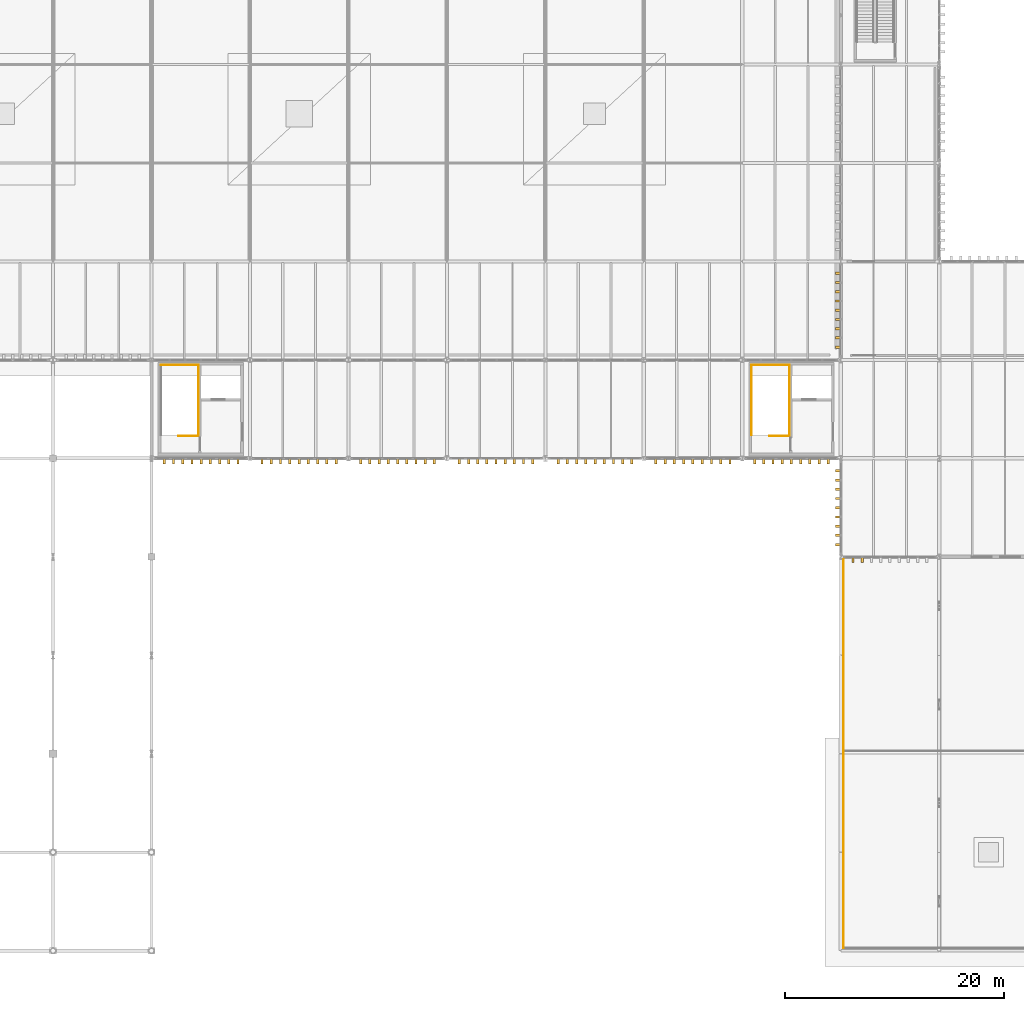
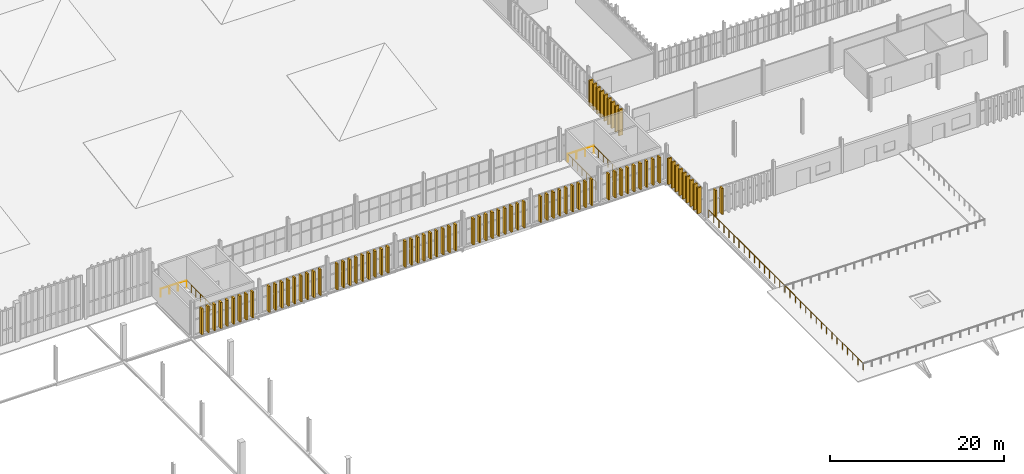
# One storey, part 186 of 196: 83 shading devices, 9 railings.
"""IFC4 building model written with IfcOpenShell, lengths in metres."""

from ifc_helpers import new_model, si_unit, direction, frame, origin, origin_2d, place, context, subcontext, project, spatial, rectangle, circle, extrude, material, type_object, element, save


model = new_model("IFC4")

# Units and contexts
model_context = context("Model", 3, precision=1e-05, world=origin(), true_north=direction((0.0, 1.0)))
body_context = subcontext(model_context, "Body", "Model", "MODEL_VIEW")
ifc_project = project(units=[si_unit("LENGTHUNIT", "METRE"), si_unit("AREAUNIT", "SQUARE_METRE"), si_unit("VOLUMEUNIT", "CUBIC_METRE"), si_unit("PLANEANGLEUNIT", "RADIAN"), si_unit("MASSUNIT", "GRAM", prefix="KILO")], contexts=[model_context])

# Site, building, storey
site_placement = place(None, origin())
site = spatial("IfcSite", under=ifc_project, at=site_placement, CompositionType="ELEMENT")
building_placement = place(site_placement, origin())
building = spatial("IfcBuilding", under=site, at=building_placement, Name="Barlavento Convention Centre", CompositionType="ELEMENT")
storey_placement = place(building_placement, frame((0.0, 0.0, 18.0)))
storey = spatial("IfcBuildingStorey", under=building, at=storey_placement, Name="L03", CompositionType="ELEMENT", Elevation=18.0)

# Railings
ifc_material_1 = material(Name="Stainless steel and laminated glass balustrade", Category="steel")
railing_type = type_object("IfcRailingType", Name="ARC-RAL-BAL-1100", PredefinedType="BALUSTRADE", material=ifc_material_1)
railing_1_placement = place(storey_placement, frame((126.25, 18.25, 0.0)))
element("IfcRailing", 1, at=railing_1_placement, inside=storey, type_object=railing_type, Name="L03 terrace balustrade GR01", PredefinedType="BALUSTRADE", context=body_context, shape_type="SweptSolid", body=[
    extrude(circle(Radius=0.02392578125, at=origin_2d()), frame((0.0, 0.0, 1.076171875), z_axis=(0.0, 1.0, 0.0), x_axis=(-1.0, 0.0, 0.0)), (0.0, 0.0, 1.0), 17.5),
    extrude(circle(Radius=0.02099609375, at=origin_2d()), origin(), (0.0, 0.0, 1.0), 1.052001953125),
    extrude(circle(Radius=0.02099609375, at=origin_2d()), frame((0.0, 1.166748046875, 0.0)), (0.0, 0.0, 1.0), 1.052001953125),
    extrude(circle(Radius=0.02099609375, at=origin_2d()), frame((0.0, 2.333251953125, 0.0)), (0.0, 0.0, 1.0), 1.052001953125),
    extrude(circle(Radius=0.02099609375, at=origin_2d()), frame((0.0, 3.5, 0.0)), (0.0, 0.0, 1.0), 1.052001953125),
    extrude(circle(Radius=0.02099609375, at=origin_2d()), frame((0.0, 4.666748046875, 0.0)), (0.0, 0.0, 1.0), 1.052001953125),
    extrude(circle(Radius=0.02099609375, at=origin_2d()), frame((0.0, 5.833251953125, 0.0)), (0.0, 0.0, 1.0), 1.052001953125),
    extrude(circle(Radius=0.02099609375, at=origin_2d()), frame((0.0, 7.0, 0.0)), (0.0, 0.0, 1.0), 1.052001953125),
    extrude(circle(Radius=0.02099609375, at=origin_2d()), frame((0.0, 8.166748046875, 0.0)), (0.0, 0.0, 1.0), 1.052001953125),
    extrude(circle(Radius=0.02099609375, at=origin_2d()), frame((0.0, 9.333251953125, 0.0)), (0.0, 0.0, 1.0), 1.052001953125),
    extrude(circle(Radius=0.02099609375, at=origin_2d()), frame((0.0, 10.5, 0.0)), (0.0, 0.0, 1.0), 1.052001953125),
    extrude(circle(Radius=0.02099609375, at=origin_2d()), frame((0.0, 11.666748046875, 0.0)), (0.0, 0.0, 1.0), 1.052001953125),
    extrude(circle(Radius=0.02099609375, at=origin_2d()), frame((0.0, 12.833251953125, 0.0)), (0.0, 0.0, 1.0), 1.052001953125),
    extrude(circle(Radius=0.02099609375, at=origin_2d()), frame((0.0, 14.0, 0.0)), (0.0, 0.0, 1.0), 1.052001953125),
    extrude(circle(Radius=0.02099609375, at=origin_2d()), frame((0.0, 15.166748046875, 0.0)), (0.0, 0.0, 1.0), 1.052001953125),
    extrude(circle(Radius=0.02099609375, at=origin_2d()), frame((0.0, 16.333251953125, 0.0)), (0.0, 0.0, 1.0), 1.052001953125),
    extrude(circle(Radius=0.02099609375, at=origin_2d()), frame((0.0, 17.5, 0.0)), (0.0, 0.0, 1.0), 1.052001953125),
])
railing_2_placement = place(storey_placement, frame((126.25, 0.25, 0.0)))
element("IfcRailing", 2, at=railing_2_placement, inside=storey, type_object=railing_type, Name="L03 south roof terrace balustrade GR01", PredefinedType="BALUSTRADE", context=body_context, shape_type="SweptSolid", body=[
    extrude(circle(Radius=0.02392578125, at=origin_2d()), frame((0.0, 0.0, 1.076171875), z_axis=(0.0, 1.0, 0.0), x_axis=(-1.0, 0.0, 0.0)), (0.0, 0.0, 1.0), 18.0),
    extrude(circle(Radius=0.02099609375, at=origin_2d()), origin(), (0.0, 0.0, 1.0), 1.052001953125),
    extrude(circle(Radius=0.02099609375, at=origin_2d()), frame((0.0, 1.199951171875, 0.0)), (0.0, 0.0, 1.0), 1.052001953125),
    extrude(circle(Radius=0.02099609375, at=origin_2d()), frame((0.0, 2.39990234375, 0.0)), (0.0, 0.0, 1.0), 1.052001953125),
    extrude(circle(Radius=0.02099609375, at=origin_2d()), frame((0.0, 3.60009765625, 0.0)), (0.0, 0.0, 1.0), 1.052001953125),
    extrude(circle(Radius=0.02099609375, at=origin_2d()), frame((0.0, 4.800048828125, 0.0)), (0.0, 0.0, 1.0), 1.052001953125),
    extrude(circle(Radius=0.02099609375, at=origin_2d()), frame((0.0, 6.0, 0.0)), (0.0, 0.0, 1.0), 1.052001953125),
    extrude(circle(Radius=0.02099609375, at=origin_2d()), frame((0.0, 7.199951171875, 0.0)), (0.0, 0.0, 1.0), 1.052001953125),
    extrude(circle(Radius=0.02099609375, at=origin_2d()), frame((0.0, 8.39990234375, 0.0)), (0.0, 0.0, 1.0), 1.052001953125),
    extrude(circle(Radius=0.02099609375, at=origin_2d()), frame((0.0, 9.60009765625, 0.0)), (0.0, 0.0, 1.0), 1.052001953125),
    extrude(circle(Radius=0.02099609375, at=origin_2d()), frame((0.0, 10.800048828125, 0.0)), (0.0, 0.0, 1.0), 1.052001953125),
    extrude(circle(Radius=0.02099609375, at=origin_2d()), frame((0.0, 12.0, 0.0)), (0.0, 0.0, 1.0), 1.052001953125),
    extrude(circle(Radius=0.02099609375, at=origin_2d()), frame((0.0, 13.199951171875, 0.0)), (0.0, 0.0, 1.0), 1.052001953125),
    extrude(circle(Radius=0.02099609375, at=origin_2d()), frame((0.0, 14.39990234375, 0.0)), (0.0, 0.0, 1.0), 1.052001953125),
    extrude(circle(Radius=0.02099609375, at=origin_2d()), frame((0.0, 15.60009765625, 0.0)), (0.0, 0.0, 1.0), 1.052001953125),
    extrude(circle(Radius=0.02099609375, at=origin_2d()), frame((0.0, 16.800048828125, 0.0)), (0.0, 0.0, 1.0), 1.052001953125),
    extrude(circle(Radius=0.02099609375, at=origin_2d()), frame((0.0, 18.0, 0.0)), (0.0, 0.0, 1.0), 1.052001953125),
])
railing_3_placement = place(storey_placement, frame((67.2900390625, 47.0400390625, 0.0)))
element("IfcRailing", 3, at=railing_3_placement, inside=storey, type_object=railing_type, Name="L03 ST03 top well guard 1", PredefinedType="BALUSTRADE", context=body_context, shape_type="SweptSolid", body=[
    extrude(circle(Radius=0.02392578125, at=origin_2d()), frame((0.0, 0.0, 1.076171875), z_axis=(-1.0, 0.0, 0.0), x_axis=(0.0, -1.0, 0.0)), (0.0, 0.0, 1.0), 1.820068359375),
    extrude(circle(Radius=0.02099609375, at=origin_2d()), origin(), (0.0, 0.0, 1.0), 1.052001953125),
    extrude(circle(Radius=0.02099609375, at=origin_2d()), frame((-0.91015625, 0.0, 0.0)), (0.0, 0.0, 1.0), 1.052001953125),
    extrude(circle(Radius=0.02099609375, at=origin_2d()), frame((-1.820068359375, 0.0, 0.0)), (0.0, 0.0, 1.0), 1.052001953125),
])
railing_4_placement = place(storey_placement, frame((67.2900390625, 47.114990234375, 0.0)))
element("IfcRailing", 4, at=railing_4_placement, inside=storey, type_object=railing_type, Name="L03 stairwell perimeter guard GR01", PredefinedType="BALUSTRADE", context=body_context, shape_type="SweptSolid", body=[
    extrude(circle(Radius=0.02392578125, at=origin_2d()), frame((0.0, 0.0, 1.076171875), z_axis=(0.0, 1.0, 0.0), x_axis=(-1.0, 0.0, 0.0)), (0.0, 0.0, 1.0), 6.4150390625),
    extrude(circle(Radius=0.02099609375, at=origin_2d()), origin(), (0.0, 0.0, 1.0), 1.052001953125),
    extrude(circle(Radius=0.02099609375, at=origin_2d()), frame((0.0, 1.069091796875, 0.0)), (0.0, 0.0, 1.0), 1.052001953125),
    extrude(circle(Radius=0.02099609375, at=origin_2d()), frame((0.0, 2.138427734375, 0.0)), (0.0, 0.0, 1.0), 1.052001953125),
    extrude(circle(Radius=0.02099609375, at=origin_2d()), frame((0.0, 3.20751953125, 0.0)), (0.0, 0.0, 1.0), 1.052001953125),
    extrude(circle(Radius=0.02099609375, at=origin_2d()), frame((0.0, 4.276611328125, 0.0)), (0.0, 0.0, 1.0), 1.052001953125),
    extrude(circle(Radius=0.02099609375, at=origin_2d()), frame((0.0, 5.345947265625, 0.0)), (0.0, 0.0, 1.0), 1.052001953125),
    extrude(circle(Radius=0.02099609375, at=origin_2d()), frame((0.0, 6.4150390625, 0.0)), (0.0, 0.0, 1.0), 1.052001953125),
])
railing_5_placement = place(storey_placement, frame((67.2900390625, 53.530029296875, 0.0)))
element("IfcRailing", 5, at=railing_5_placement, inside=storey, type_object=railing_type, Name="L03 stairwell perimeter guard GR01", PredefinedType="BALUSTRADE", context=body_context, shape_type="SweptSolid", body=[
    extrude(circle(Radius=0.02392578125, at=origin_2d()), frame((0.0, 0.0, 1.076171875), z_axis=(-1.0, 0.0, 0.0), x_axis=(0.0, -1.0, 0.0)), (0.0, 0.0, 1.0), 3.43994140625),
    extrude(circle(Radius=0.02099609375, at=origin_2d()), origin(), (0.0, 0.0, 1.0), 1.052001953125),
    extrude(circle(Radius=0.02099609375, at=origin_2d()), frame((-1.146728515625, 0.0, 0.0)), (0.0, 0.0, 1.0), 1.052001953125),
    extrude(circle(Radius=0.02099609375, at=origin_2d()), frame((-2.293212890625, 0.0, 0.0)), (0.0, 0.0, 1.0), 1.052001953125),
    extrude(circle(Radius=0.02099609375, at=origin_2d()), frame((-3.43994140625, 0.0, 0.0)), (0.0, 0.0, 1.0), 1.052001953125),
])
railing_6_placement = place(storey_placement, frame((121.2900390625, 47.0400390625, 0.0)))
element("IfcRailing", 6, at=railing_6_placement, inside=storey, type_object=railing_type, Name="L03 ST04 top well guard 1", PredefinedType="BALUSTRADE", context=body_context, shape_type="SweptSolid", body=[
    extrude(circle(Radius=0.02392578125, at=origin_2d()), frame((0.0, 0.0, 1.076171875), z_axis=(-1.0, 0.0, 0.0), x_axis=(0.0, -1.0, 0.0)), (0.0, 0.0, 1.0), 1.820068359375),
    extrude(circle(Radius=0.02099609375, at=origin_2d()), origin(), (0.0, 0.0, 1.0), 1.052001953125),
    extrude(circle(Radius=0.02099609375, at=origin_2d()), frame((-0.91015625, 0.0, 0.0)), (0.0, 0.0, 1.0), 1.052001953125),
    extrude(circle(Radius=0.02099609375, at=origin_2d()), frame((-1.820068359375, 0.0, 0.0)), (0.0, 0.0, 1.0), 1.052001953125),
])
railing_7_placement = place(storey_placement, frame((121.2900390625, 47.114990234375, 0.0)))
element("IfcRailing", 7, at=railing_7_placement, inside=storey, type_object=railing_type, Name="L03 stairwell perimeter guard GR01", PredefinedType="BALUSTRADE", context=body_context, shape_type="SweptSolid", body=[
    extrude(circle(Radius=0.02392578125, at=origin_2d()), frame((0.0, 0.0, 1.076171875), z_axis=(0.0, 1.0, 0.0), x_axis=(-1.0, 0.0, 0.0)), (0.0, 0.0, 1.0), 6.4150390625),
    extrude(circle(Radius=0.02099609375, at=origin_2d()), origin(), (0.0, 0.0, 1.0), 1.052001953125),
    extrude(circle(Radius=0.02099609375, at=origin_2d()), frame((0.0, 1.069091796875, 0.0)), (0.0, 0.0, 1.0), 1.052001953125),
    extrude(circle(Radius=0.02099609375, at=origin_2d()), frame((0.0, 2.138427734375, 0.0)), (0.0, 0.0, 1.0), 1.052001953125),
    extrude(circle(Radius=0.02099609375, at=origin_2d()), frame((0.0, 3.20751953125, 0.0)), (0.0, 0.0, 1.0), 1.052001953125),
    extrude(circle(Radius=0.02099609375, at=origin_2d()), frame((0.0, 4.276611328125, 0.0)), (0.0, 0.0, 1.0), 1.052001953125),
    extrude(circle(Radius=0.02099609375, at=origin_2d()), frame((0.0, 5.345947265625, 0.0)), (0.0, 0.0, 1.0), 1.052001953125),
    extrude(circle(Radius=0.02099609375, at=origin_2d()), frame((0.0, 6.4150390625, 0.0)), (0.0, 0.0, 1.0), 1.052001953125),
])
railing_8_placement = place(storey_placement, frame((121.2900390625, 53.530029296875, 0.0)))
element("IfcRailing", 8, at=railing_8_placement, inside=storey, type_object=railing_type, Name="L03 stairwell perimeter guard GR01", PredefinedType="BALUSTRADE", context=body_context, shape_type="SweptSolid", body=[
    extrude(circle(Radius=0.02392578125, at=origin_2d()), frame((0.0, 0.0, 1.076171875), z_axis=(-1.0, 0.0, 0.0), x_axis=(0.0, -1.0, 0.0)), (0.0, 0.0, 1.0), 3.43994140625),
    extrude(circle(Radius=0.02099609375, at=origin_2d()), origin(), (0.0, 0.0, 1.0), 1.052001953125),
    extrude(circle(Radius=0.02099609375, at=origin_2d()), frame((-1.146728515625, 0.0, 0.0)), (0.0, 0.0, 1.0), 1.052001953125),
    extrude(circle(Radius=0.02099609375, at=origin_2d()), frame((-2.293212890625, 0.0, 0.0)), (0.0, 0.0, 1.0), 1.052001953125),
    extrude(circle(Radius=0.02099609375, at=origin_2d()), frame((-3.43994140625, 0.0, 0.0)), (0.0, 0.0, 1.0), 1.052001953125),
])
railing_9_placement = place(storey_placement, frame((117.85009765625, 53.530029296875, 0.0)))
element("IfcRailing", 9, at=railing_9_placement, inside=storey, type_object=railing_type, Name="L03 stairwell perimeter guard GR01", PredefinedType="BALUSTRADE", context=body_context, shape_type="SweptSolid", body=[
    extrude(circle(Radius=0.02392578125, at=origin_2d()), frame((0.0, 0.0, 1.076171875), z_axis=(0.0, -1.0, 0.0), x_axis=(1.0, 0.0, 0.0)), (0.0, 0.0, 1.0), 6.4150390625),
    extrude(circle(Radius=0.02099609375, at=origin_2d()), origin(), (0.0, 0.0, 1.0), 1.052001953125),
    extrude(circle(Radius=0.02099609375, at=origin_2d()), frame((0.0, -1.069091796875, 0.0)), (0.0, 0.0, 1.0), 1.052001953125),
    extrude(circle(Radius=0.02099609375, at=origin_2d()), frame((0.0, -2.138427734375, 0.0)), (0.0, 0.0, 1.0), 1.052001953125),
    extrude(circle(Radius=0.02099609375, at=origin_2d()), frame((0.0, -3.20751953125, 0.0)), (0.0, 0.0, 1.0), 1.052001953125),
    extrude(circle(Radius=0.02099609375, at=origin_2d()), frame((0.0, -4.276611328125, 0.0)), (0.0, 0.0, 1.0), 1.052001953125),
    extrude(circle(Radius=0.02099609375, at=origin_2d()), frame((0.0, -5.345947265625, 0.0)), (0.0, 0.0, 1.0), 1.052001953125),
    extrude(circle(Radius=0.02099609375, at=origin_2d()), frame((0.0, -6.4150390625, 0.0)), (0.0, 0.0, 1.0), 1.052001953125),
])

# Shading devices
ifc_material_2 = material(Name="PVDF white extruded aluminium", Category="aluminium")
shading_device_type = type_object("IfcShadingDeviceType", Name="ARC-SHD-FIN-480", PredefinedType="USERDEFINED", material=ifc_material_2)
for number, where, z_axis, x_axis, name in (
    (10, (64.172119140625, 44.760009765625, 0.0), (0.0, 0.0, 1.0), (1.0, 0.0, 0.0), "White vertical solar shading fin VF01"),
    (11, (65.013916015625, 44.760009765625, 0.0), (0.0, 0.0, 1.0), (1.0, 0.0, 0.0), "White vertical solar shading fin VF01"),
    (12, (65.85595703125, 44.760009765625, 0.0), (0.0, 0.0, 1.0), (1.0, 0.0, 0.0), "White vertical solar shading fin VF01"),
    (13, (66.697998046875, 44.760009765625, 0.0), (0.0, 0.0, 1.0), (1.0, 0.0, 0.0), "White vertical solar shading fin VF01"),
    (14, (67.5400390625, 44.760009765625, 0.0), (0.0, 0.0, 1.0), (1.0, 0.0, 0.0), "White vertical solar shading fin VF01"),
    (15, (68.382080078125, 44.760009765625, 0.0), (0.0, 0.0, 1.0), (1.0, 0.0, 0.0), "White vertical solar shading fin VF01"),
    (16, (69.22412109375, 44.760009765625, 0.0), (0.0, 0.0, 1.0), (1.0, 0.0, 0.0), "White vertical solar shading fin VF01"),
    (17, (70.06591796875, 44.760009765625, 0.0), (0.0, 0.0, 1.0), (1.0, 0.0, 0.0), "White vertical solar shading fin VF01"),
    (18, (70.907958984375, 44.760009765625, 0.0), (0.0, 0.0, 1.0), (1.0, 0.0, 0.0), "White vertical solar shading fin VF01"),
    (19, (73.096923828125, 44.760009765625, 0.0), (0.0, 0.0, 1.0), (1.0, 0.0, 0.0), "White vertical solar shading fin VF01"),
    (20, (73.944091796875, 44.760009765625, 0.0), (0.0, 0.0, 1.0), (1.0, 0.0, 0.0), "White vertical solar shading fin VF01"),
    (21, (74.791015625, 44.760009765625, 0.0), (0.0, 0.0, 1.0), (1.0, 0.0, 0.0), "White vertical solar shading fin VF01"),
    (22, (75.637939453125, 44.760009765625, 0.0), (0.0, 0.0, 1.0), (1.0, 0.0, 0.0), "White vertical solar shading fin VF01"),
    (23, (76.485107421875, 44.760009765625, 0.0), (0.0, 0.0, 1.0), (1.0, 0.0, 0.0), "White vertical solar shading fin VF01"),
    (24, (77.33203125, 44.760009765625, 0.0), (0.0, 0.0, 1.0), (1.0, 0.0, 0.0), "White vertical solar shading fin VF01"),
    (25, (78.178955078125, 44.760009765625, 0.0), (0.0, 0.0, 1.0), (1.0, 0.0, 0.0), "White vertical solar shading fin VF01"),
    (26, (79.02587890625, 44.760009765625, 0.0), (0.0, 0.0, 1.0), (1.0, 0.0, 0.0), "White vertical solar shading fin VF01"),
    (27, (79.873046875, 44.760009765625, 0.0), (0.0, 0.0, 1.0), (1.0, 0.0, 0.0), "White vertical solar shading fin VF01"),
    (28, (82.12158203125, 44.760009765625, 0.0), (0.0, 0.0, 1.0), (1.0, 0.0, 0.0), "White vertical solar shading fin VF01"),
    (29, (82.962890625, 44.760009765625, 0.0), (0.0, 0.0, 1.0), (1.0, 0.0, 0.0), "White vertical solar shading fin VF01"),
    (30, (83.804443359375, 44.760009765625, 0.0), (0.0, 0.0, 1.0), (1.0, 0.0, 0.0), "White vertical solar shading fin VF01"),
    (31, (84.64599609375, 44.760009765625, 0.0), (0.0, 0.0, 1.0), (1.0, 0.0, 0.0), "White vertical solar shading fin VF01"),
    (32, (85.487548828125, 44.760009765625, 0.0), (0.0, 0.0, 1.0), (1.0, 0.0, 0.0), "White vertical solar shading fin VF01"),
    (33, (86.3291015625, 44.760009765625, 0.0), (0.0, 0.0, 1.0), (1.0, 0.0, 0.0), "White vertical solar shading fin VF01"),
    (34, (87.17041015625, 44.760009765625, 0.0), (0.0, 0.0, 1.0), (1.0, 0.0, 0.0), "White vertical solar shading fin VF01"),
    (35, (88.011962890625, 44.760009765625, 0.0), (0.0, 0.0, 1.0), (1.0, 0.0, 0.0), "White vertical solar shading fin VF01"),
    (36, (88.853515625, 44.760009765625, 0.0), (0.0, 0.0, 1.0), (1.0, 0.0, 0.0), "White vertical solar shading fin VF01"),
    (37, (91.1416015625, 44.760009765625, 0.0), (0.0, 0.0, 1.0), (1.0, 0.0, 0.0), "White vertical solar shading fin VF01"),
    (38, (91.97802734375, 44.760009765625, 0.0), (0.0, 0.0, 1.0), (1.0, 0.0, 0.0), "White vertical solar shading fin VF01"),
    (39, (92.814453125, 44.760009765625, 0.0), (0.0, 0.0, 1.0), (1.0, 0.0, 0.0), "White vertical solar shading fin VF01"),
    (40, (93.65087890625, 44.760009765625, 0.0), (0.0, 0.0, 1.0), (1.0, 0.0, 0.0), "White vertical solar shading fin VF01"),
    (41, (94.487548828125, 44.760009765625, 0.0), (0.0, 0.0, 1.0), (1.0, 0.0, 0.0), "White vertical solar shading fin VF01"),
    (42, (95.323974609375, 44.760009765625, 0.0), (0.0, 0.0, 1.0), (1.0, 0.0, 0.0), "White vertical solar shading fin VF01"),
    (43, (96.160400390625, 44.760009765625, 0.0), (0.0, 0.0, 1.0), (1.0, 0.0, 0.0), "White vertical solar shading fin VF01"),
    (44, (96.9970703125, 44.760009765625, 0.0), (0.0, 0.0, 1.0), (1.0, 0.0, 0.0), "White vertical solar shading fin VF01"),
    (45, (97.83349609375, 44.760009765625, 0.0), (0.0, 0.0, 1.0), (1.0, 0.0, 0.0), "White vertical solar shading fin VF01"),
    (46, (100.172119140625, 44.760009765625, 0.0), (0.0, 0.0, 1.0), (1.0, 0.0, 0.0), "White vertical solar shading fin VF01"),
    (47, (101.013916015625, 44.760009765625, 0.0), (0.0, 0.0, 1.0), (1.0, 0.0, 0.0), "White vertical solar shading fin VF01"),
    (48, (101.85595703125, 44.760009765625, 0.0), (0.0, 0.0, 1.0), (1.0, 0.0, 0.0), "White vertical solar shading fin VF01"),
    (49, (102.697998046875, 44.760009765625, 0.0), (0.0, 0.0, 1.0), (1.0, 0.0, 0.0), "White vertical solar shading fin VF01"),
    (50, (103.5400390625, 44.760009765625, 0.0), (0.0, 0.0, 1.0), (1.0, 0.0, 0.0), "White vertical solar shading fin VF01"),
    (51, (104.382080078125, 44.760009765625, 0.0), (0.0, 0.0, 1.0), (1.0, 0.0, 0.0), "White vertical solar shading fin VF01"),
    (52, (105.22412109375, 44.760009765625, 0.0), (0.0, 0.0, 1.0), (1.0, 0.0, 0.0), "White vertical solar shading fin VF01"),
    (53, (106.06591796875, 44.760009765625, 0.0), (0.0, 0.0, 1.0), (1.0, 0.0, 0.0), "White vertical solar shading fin VF01"),
    (54, (106.907958984375, 44.760009765625, 0.0), (0.0, 0.0, 1.0), (1.0, 0.0, 0.0), "White vertical solar shading fin VF01"),
    (55, (109.096923828125, 44.760009765625, 0.0), (0.0, 0.0, 1.0), (1.0, 0.0, 0.0), "White vertical solar shading fin VF01"),
    (56, (109.944091796875, 44.760009765625, 0.0), (0.0, 0.0, 1.0), (1.0, 0.0, 0.0), "White vertical solar shading fin VF01"),
    (57, (110.791015625, 44.760009765625, 0.0), (0.0, 0.0, 1.0), (1.0, 0.0, 0.0), "White vertical solar shading fin VF01"),
    (58, (111.637939453125, 44.760009765625, 0.0), (0.0, 0.0, 1.0), (1.0, 0.0, 0.0), "White vertical solar shading fin VF01"),
    (59, (112.485107421875, 44.760009765625, 0.0), (0.0, 0.0, 1.0), (1.0, 0.0, 0.0), "White vertical solar shading fin VF01"),
    (60, (113.33203125, 44.760009765625, 0.0), (0.0, 0.0, 1.0), (1.0, 0.0, 0.0), "White vertical solar shading fin VF01"),
    (61, (114.178955078125, 44.760009765625, 0.0), (0.0, 0.0, 1.0), (1.0, 0.0, 0.0), "White vertical solar shading fin VF01"),
    (62, (115.02587890625, 44.760009765625, 0.0), (0.0, 0.0, 1.0), (1.0, 0.0, 0.0), "White vertical solar shading fin VF01"),
    (63, (115.873046875, 44.760009765625, 0.0), (0.0, 0.0, 1.0), (1.0, 0.0, 0.0), "White vertical solar shading fin VF01"),
    (64, (118.12158203125, 44.760009765625, 0.0), (0.0, 0.0, 1.0), (1.0, 0.0, 0.0), "White vertical solar shading fin VF01"),
    (65, (118.962890625, 44.760009765625, 0.0), (0.0, 0.0, 1.0), (1.0, 0.0, 0.0), "White vertical solar shading fin VF01"),
    (66, (119.804443359375, 44.760009765625, 0.0), (0.0, 0.0, 1.0), (1.0, 0.0, 0.0), "White vertical solar shading fin VF01"),
    (67, (120.64599609375, 44.760009765625, 0.0), (0.0, 0.0, 1.0), (1.0, 0.0, 0.0), "White vertical solar shading fin VF01"),
    (68, (121.487548828125, 44.760009765625, 0.0), (0.0, 0.0, 1.0), (1.0, 0.0, 0.0), "White vertical solar shading fin VF01"),
    (69, (122.3291015625, 44.760009765625, 0.0), (0.0, 0.0, 1.0), (1.0, 0.0, 0.0), "White vertical solar shading fin VF01"),
    (70, (123.17041015625, 44.760009765625, 0.0), (0.0, 0.0, 1.0), (1.0, 0.0, 0.0), "White vertical solar shading fin VF01"),
    (71, (124.011962890625, 44.760009765625, 0.0), (0.0, 0.0, 1.0), (1.0, 0.0, 0.0), "White vertical solar shading fin VF01"),
    (72, (124.853515625, 44.760009765625, 0.0), (0.0, 0.0, 1.0), (1.0, 0.0, 0.0), "White vertical solar shading fin VF01"),
    (73, (127.113525390625, 35.760009765625, 0.0), (0.0, 0.0, 1.0), (1.0, 0.0, 0.0), "White vertical solar shading fin VF01"),
    (74, (127.95703125, 35.760009765625, 0.0), (0.0, 0.0, 1.0), (1.0, 0.0, 0.0), "White vertical solar shading fin VF01"),
    (75, (125.760009765625, 37.113525390625, 0.0), (0.0, 0.0, 1.0), (0.0, 1.0, 0.0), "White vertical solar shading fin VF01"),
    (76, (125.760009765625, 37.95703125, 0.0), (0.0, 0.0, 1.0), (0.0, 1.0, 0.0), "White vertical solar shading fin VF01"),
    (77, (125.760009765625, 38.800537109375, 0.0), (0.0, 0.0, 1.0), (0.0, 1.0, 0.0), "White vertical solar shading fin VF01"),
    (78, (125.760009765625, 39.64404296875, 0.0), (0.0, 0.0, 1.0), (0.0, 1.0, 0.0), "White vertical solar shading fin VF01"),
    (79, (125.760009765625, 40.487548828125, 0.0), (0.0, 0.0, 1.0), (0.0, 1.0, 0.0), "White vertical solar shading fin VF01"),
    (80, (125.760009765625, 41.3310546875, 0.0), (0.0, 0.0, 1.0), (0.0, 1.0, 0.0), "White vertical solar shading fin VF01"),
    (81, (125.760009765625, 42.174560546875, 0.0), (0.0, 0.0, 1.0), (0.0, 1.0, 0.0), "White vertical solar shading fin VF01"),
    (82, (125.760009765625, 43.01806640625, 0.0), (0.0, 0.0, 1.0), (0.0, 1.0, 0.0), "White vertical solar shading fin VF01"),
    (83, (125.760009765625, 43.861572265625, 0.0), (0.0, 0.0, 1.0), (0.0, 1.0, 0.0), "White vertical solar shading fin VF01"),
    (84, (125.760009765625, 55.1640625, 0.0), (0.0, 0.0, 1.0), (0.0, 1.0, 0.0), "White vertical solar shading fin VF01"),
    (85, (125.760009765625, 56.008056640625, 0.0), (0.0, 0.0, 1.0), (0.0, 1.0, 0.0), "White vertical solar shading fin VF01"),
    (86, (125.760009765625, 56.85205078125, 0.0), (0.0, 0.0, 1.0), (0.0, 1.0, 0.0), "White vertical solar shading fin VF01"),
    (87, (125.760009765625, 57.696044921875, 0.0), (0.0, 0.0, 1.0), (0.0, 1.0, 0.0), "White vertical solar shading fin VF01"),
    (88, (125.760009765625, 58.5400390625, 0.0), (0.0, 0.0, 1.0), (0.0, 1.0, 0.0), "White vertical solar shading fin VF01"),
    (89, (125.760009765625, 59.384033203125, 0.0), (0.0, 0.0, 1.0), (0.0, 1.0, 0.0), "White vertical solar shading fin VF01"),
    (90, (125.760009765625, 60.22802734375, 0.0), (0.0, 0.0, 1.0), (0.0, 1.0, 0.0), "White vertical solar shading fin VF01"),
    (91, (125.760009765625, 61.072021484375, 0.0), (0.0, 0.0, 1.0), (0.0, 1.0, 0.0), "White vertical solar shading fin VF01"),
    (92, (125.760009765625, 61.916015625, 0.0), (0.0, 0.0, 1.0), (0.0, 1.0, 0.0), "White vertical solar shading fin VF01"),
):
    element("IfcShadingDevice", number, at=place(storey_placement, frame(where, z_axis=z_axis, x_axis=x_axis)), inside=storey, type_object=shading_device_type, Name=name, ObjectType="FIN", PredefinedType="USERDEFINED", context=body_context, shape_type="SweptSolid", body=[
        extrude(rectangle(XDim=0.219970703125, YDim=0.52001953125, at=origin_2d()), origin(), (0.0, 0.0, 1.0), 3.64990234375),
    ])

save(model, "model.ifc")
